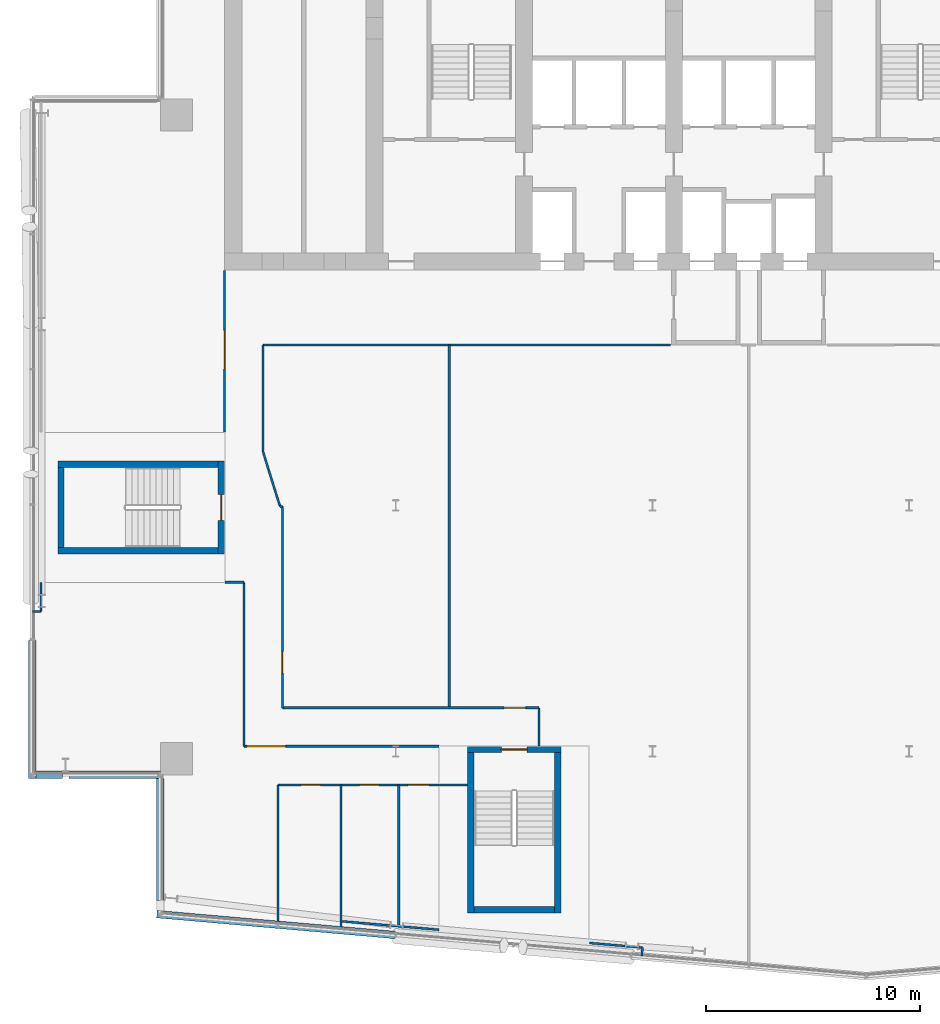
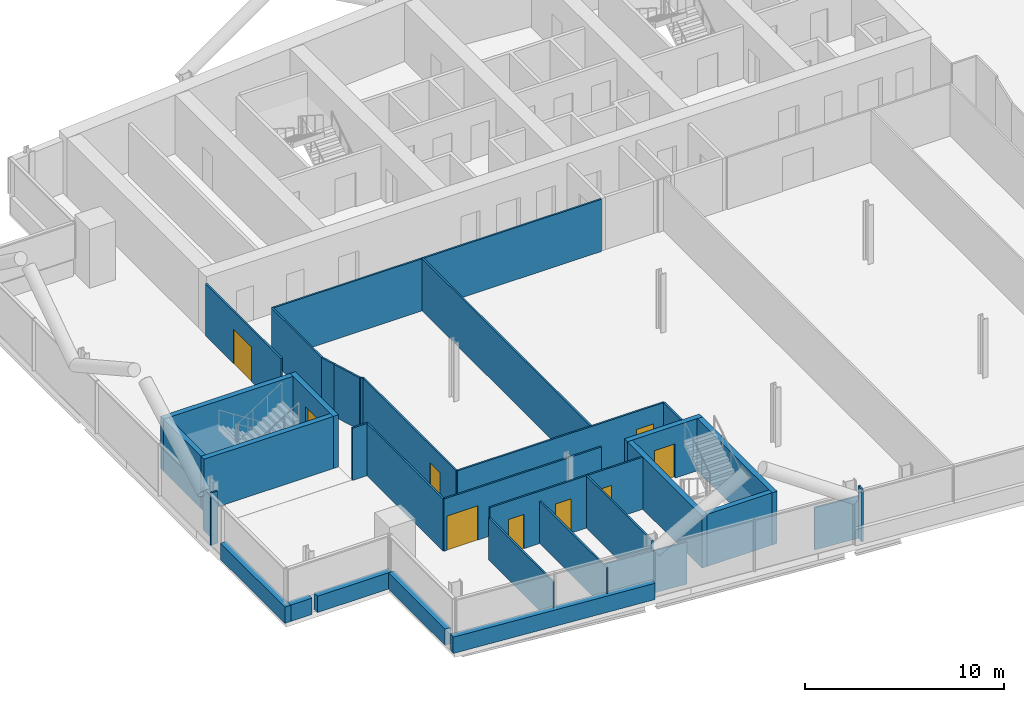
# One storey, part 15 of 26: 35 walls, 9 doors, 9 openings.
"""IFC4 building model written with IfcOpenShell, lengths in metres."""

from ifc_helpers import new_model, si_unit, direction, frame, frame_2d, origin, place, context, subcontext, project, spatial, rectangle, extrude, material, layer, layer_set, type_object, element, fill, save


model = new_model("IFC4")

# Units and contexts
model_context = context("Model", 3, precision=1e-05, world=origin(), true_north=direction((0.0, 1.0)))
body_context = subcontext(model_context, "Body", "Model", "MODEL_VIEW")
ifc_project = project(units=[si_unit("LENGTHUNIT", "METRE"), si_unit("AREAUNIT", "SQUARE_METRE"), si_unit("VOLUMEUNIT", "CUBIC_METRE"), si_unit("PLANEANGLEUNIT", "RADIAN"), si_unit("MASSUNIT", "GRAM", prefix="KILO")], contexts=[model_context])

# Site, building, storey
site_placement = place(None, origin())
site = spatial("IfcSite", under=ifc_project, at=site_placement, CompositionType="ELEMENT")
building_placement = place(site_placement, origin())
building = spatial("IfcBuilding", under=site, at=building_placement, Name="Wharfspan Tower", CompositionType="ELEMENT")
storey_placement = place(building_placement, frame((0.0, 0.0, 177.100098)))
storey = spatial("IfcBuildingStorey", under=building, at=storey_placement, Name="L43", CompositionType="ELEMENT", Elevation=177.100098)

# Wall, opening, door
ifc_material_1 = material(Name="Gypsum board on steel studs", Category="steel")
ifc_layer_1 = layer(ifc_material_1, 0.100098)
ifc_layer_set_1 = layer_set([ifc_layer_1], Name="Gypsum board on steel studs")
wall_type_1 = type_object("IfcWallType", Name="Compartment wall 100 EI 60", PredefinedType="PARTITIONING", material=ifc_layer_set_1)
wall_1_placement = place(storey_placement, frame((16.0, 26.419922, 0.0), z_axis=(0.0, 0.0, 1.0), x_axis=(0.0, 1.0, 0.0)))
wall_1 = element("IfcWall", 1, at=wall_1_placement, inside=storey, type_object=wall_type_1, Name="Partition L43.w004", PredefinedType="PARTITIONING", context=body_context, shape_type="SweptSolid", body=[
    extrude(rectangle(XDim=7.560059, YDim=0.100098, at=frame_2d((3.780029, 0.0))), origin(), (0.0, 0.0, 1.0), 3.199951),
])
opening_1_placement = place(wall_1_placement, frame((2.959961, 0.0, 0.0)))
opening_1 = element("IfcOpeningElement", 2, at=opening_1_placement, cuts=wall_1, Name="Opening C4-10", PredefinedType="OPENING", context=body_context, shape_type="SweptSolid", body=[
    extrude(rectangle(XDim=1.800049, YDim=2.100098, at=frame_2d((0.899902, 1.050049))), frame((0.0, 0.060059, 0.0), z_axis=(0.0, -1.0, 0.0), x_axis=(1.0, 0.0, 0.0)), (0.0, 0.0, 1.0), 0.120117),
])
ifc_material_2 = material(Name="Fire-rated timber door leaf in steel frame", Category="steel")
door_type_1 = type_object("IfcDoorType", Name="Door 1800 FD30S Double", OperationType="DOUBLE_DOOR_SINGLE_SWING", PredefinedType="DOOR", material=ifc_material_2)
door_1_placement = place(opening_1_placement, origin())
door_1 = element("IfcDoor", 3, at=door_1_placement, inside=storey, type_object=door_type_1, Name="Door C4-10", OperationType="DOUBLE_DOOR_SINGLE_SWING", OverallHeight=2.100098, OverallWidth=1.800049, PredefinedType="DOOR", context=body_context, shape_type="SweptSolid", body=[
    extrude(rectangle(XDim=1.800049, YDim=2.100098, at=frame_2d((0.899902, 1.050049))), frame((0.0, 0.024902, 0.0), z_axis=(0.0, -1.0, 0.0), x_axis=(1.0, 0.0, 0.0)), (0.0, 0.0, 1.0), 0.050049),
])
fill(opening_1, door_1)

# Walls
wall_2_placement = place(storey_placement, frame((16.02002, 19.399902, 0.0), z_axis=(0.0, 0.0, 1.0), x_axis=(1.0, 0.0, 0.0)))
element("IfcWall", 4, at=wall_2_placement, inside=storey, type_object=wall_type_1, Name="Partition L43.w005", PredefinedType="PARTITIONING", context=body_context, shape_type="SweptSolid", body=[
    extrude(rectangle(XDim=0.879883, YDim=0.100098, at=frame_2d((0.439941, 0.0))), origin(), (0.0, 0.0, 1.0), 3.199951),
])
wall_3_placement = place(storey_placement, frame((16.899902, 11.735107, 0.0), z_axis=(0.0, 0.0, 1.0), x_axis=(0.0, 1.0, 0.0)))
element("IfcWall", 5, at=wall_3_placement, inside=storey, type_object=wall_type_1, Name="Partition L43.w006", PredefinedType="PARTITIONING", context=body_context, shape_type="SweptSolid", body=[
    extrude(rectangle(XDim=7.664795, YDim=0.100098, at=frame_2d((3.83252, 0.0))), origin(), (0.0, 0.0, 1.0), 3.199951),
])

# Wall, opening, door
wall_4_placement = place(storey_placement, frame((16.899902, 11.735107, 0.0), z_axis=(0.0, 0.0, 1.0), x_axis=(1.0, 0.0, 0.0)))
wall_4 = element("IfcWall", 6, at=wall_4_placement, inside=storey, type_object=wall_type_1, Name="Partition L43.w007", PredefinedType="PARTITIONING", context=body_context, shape_type="SweptSolid", body=[
    extrude(rectangle(XDim=9.119385, YDim=0.100098, at=frame_2d((4.55957, 0.0))), origin(), (0.0, 0.0, 1.0), 3.199951),
])
opening_2_placement = place(wall_4_placement, frame((0.155029, 0.0, 0.0)))
opening_2 = element("IfcOpeningElement", 7, at=opening_2_placement, cuts=wall_4, Name="Opening C4-04", PredefinedType="OPENING", context=body_context, shape_type="SweptSolid", body=[
    extrude(rectangle(XDim=1.800049, YDim=2.100098, at=frame_2d((0.899902, 1.050049))), frame((0.0, 0.060059, 0.0), z_axis=(0.0, -1.0, 0.0), x_axis=(1.0, 0.0, 0.0)), (0.0, 0.0, 1.0), 0.120117),
])
door_2_placement = place(opening_2_placement, origin())
door_2 = element("IfcDoor", 8, at=door_2_placement, inside=storey, type_object=door_type_1, Name="Door C4-04", OperationType="DOUBLE_DOOR_SINGLE_SWING", OverallHeight=2.100098, OverallWidth=1.800049, PredefinedType="DOOR", context=body_context, shape_type="SweptSolid", body=[
    extrude(rectangle(XDim=1.800049, YDim=2.100098, at=frame_2d((0.899902, 1.050049))), frame((0.0, 0.024902, 0.0), z_axis=(0.0, -1.0, 0.0), x_axis=(1.0, 0.0, 0.0)), (0.0, 0.0, 1.0), 0.050049),
])
fill(opening_2, door_2)

# Walls
wall_5_placement = place(storey_placement, frame((17.800049, 25.485107, 0.0), z_axis=(0.0, 0.0, 1.0), x_axis=(0.0, 1.0, 0.0)))
element("IfcWall", 9, at=wall_5_placement, inside=storey, type_object=wall_type_1, Name="Partition L43.w008", PredefinedType="PARTITIONING", context=body_context, shape_type="SweptSolid", body=[
    extrude(rectangle(XDim=5.014893, YDim=0.100098, at=frame_2d((2.507324, 0.0))), origin(), (0.0, 0.0, 1.0), 3.199951),
])
wall_6_placement = place(storey_placement, frame((17.800049, 30.5, 0.0), z_axis=(0.0, 0.0, 1.0), x_axis=(1.0, 0.0, 0.0)))
element("IfcWall", 10, at=wall_6_placement, inside=storey, type_object=wall_type_1, Name="Partition L43.w009", PredefinedType="PARTITIONING", context=body_context, shape_type="SweptSolid", body=[
    extrude(rectangle(XDim=19.050049, YDim=0.100098, at=frame_2d((9.524902, 0.0))), origin(), (0.0, 0.0, 1.0), 3.199951),
])
wall_7_placement = place(storey_placement, frame((18.054932, 24.659912, 0.0), z_axis=(0.0, 0.0, 1.0), x_axis=(-0.295119, 0.955462, 0.0)))
element("IfcWall", 11, at=wall_7_placement, inside=storey, type_object=wall_type_1, Name="Partition L43.w010", PredefinedType="PARTITIONING", context=body_context, shape_type="SweptSolid", body=[
    extrude(rectangle(XDim=0.86377, YDim=0.100098, at=frame_2d((0.431885, 0.0))), origin(), (0.0, 0.0, 1.0), 3.199951),
])
wall_8_placement = place(storey_placement, frame((18.574951, 22.995117, 0.0), z_axis=(0.0, 0.0, 1.0), x_axis=(-0.298155, 0.954516, 0.0)))
element("IfcWall", 12, at=wall_8_placement, inside=storey, type_object=wall_type_1, Name="Partition L43.w013", PredefinedType="PARTITIONING", context=body_context, shape_type="SweptSolid", body=[
    extrude(rectangle(XDim=1.744141, YDim=0.100098, at=frame_2d((0.87207, 0.0))), origin(), (0.0, 0.0, 1.0), 3.199951),
])
wall_9_placement = place(storey_placement, frame((18.699951, 22.899902, 0.0), z_axis=(0.0, 0.0, 1.0), x_axis=(-0.795501, 0.605948, 0.0)))
element("IfcWall", 13, at=wall_9_placement, inside=storey, type_object=wall_type_1, Name="Partition L43.w014", PredefinedType="PARTITIONING", context=body_context, shape_type="SweptSolid", body=[
    extrude(rectangle(XDim=0.157227, YDim=0.100098, at=frame_2d((0.078613, 0.0))), origin(), (0.0, 0.0, 1.0), 3.199951),
])

# Wall, opening, door
wall_10_placement = place(storey_placement, frame((18.699951, 13.534912, 0.0), z_axis=(0.0, 0.0, 1.0), x_axis=(0.0, 1.0, 0.0)))
wall_10 = element("IfcWall", 14, at=wall_10_placement, inside=storey, type_object=wall_type_1, Name="Partition L43.w015", PredefinedType="PARTITIONING", context=body_context, shape_type="SweptSolid", body=[
    extrude(rectangle(XDim=9.36499, YDim=0.100098, at=frame_2d((4.682617, 0.0))), origin(), (0.0, 0.0, 1.0), 3.199951),
])
opening_3_placement = place(wall_10_placement, frame((1.620117, 0.0, 0.0)))
opening_3 = element("IfcOpeningElement", 15, at=opening_3_placement, cuts=wall_10, Name="Opening C4-06", PredefinedType="OPENING", context=body_context, shape_type="SweptSolid", body=[
    extrude(rectangle(XDim=1.0, YDim=2.100098, at=frame_2d((0.5, 1.050049))), frame((0.0, 0.060059, 0.0), z_axis=(0.0, -1.0, 0.0), x_axis=(1.0, 0.0, 0.0)), (0.0, 0.0, 1.0), 0.120117),
])
door_type_2 = type_object("IfcDoorType", Name="Door 1000 FD30S Left", OperationType="SINGLE_SWING_LEFT", PredefinedType="DOOR", material=ifc_material_2)
door_3_placement = place(opening_3_placement, origin())
door_3 = element("IfcDoor", 16, at=door_3_placement, inside=storey, type_object=door_type_2, Name="Door C4-06", OperationType="SINGLE_SWING_LEFT", OverallHeight=2.100098, OverallWidth=1.0, PredefinedType="DOOR", context=body_context, shape_type="SweptSolid", body=[
    extrude(rectangle(XDim=1.0, YDim=2.100098, at=frame_2d((0.5, 1.050049))), frame((0.0, 0.024902, 0.0), z_axis=(0.0, -1.0, 0.0), x_axis=(1.0, 0.0, 0.0)), (0.0, 0.0, 1.0), 0.050049),
])
fill(opening_3, door_3)

wall_11_placement = place(storey_placement, frame((18.699951, 13.534912, 0.0), z_axis=(0.0, 0.0, 1.0), x_axis=(1.0, 0.0, 0.0)))
wall_11 = element("IfcWall", 17, at=wall_11_placement, inside=storey, type_object=wall_type_1, Name="Partition L43.w016", PredefinedType="PARTITIONING", context=body_context, shape_type="SweptSolid", body=[
    extrude(rectangle(XDim=11.98999, YDim=0.100098, at=frame_2d((5.995117, 0.0))), origin(), (0.0, 0.0, 1.0), 3.199951),
])
opening_4_placement = place(wall_11_placement, frame((10.370117, 0.0, 0.0)))
opening_4 = element("IfcOpeningElement", 18, at=opening_4_placement, cuts=wall_11, Name="Opening C4-05", PredefinedType="OPENING", context=body_context, shape_type="SweptSolid", body=[
    extrude(rectangle(XDim=1.0, YDim=2.100098, at=frame_2d((0.5, 1.050049))), frame((0.0, 0.060059, 0.0), z_axis=(0.0, -1.0, 0.0), x_axis=(1.0, 0.0, 0.0)), (0.0, 0.0, 1.0), 0.120117),
])
door_type_3 = type_object("IfcDoorType", Name="Door 1000 FD30S Right", OperationType="SINGLE_SWING_RIGHT", PredefinedType="DOOR", material=ifc_material_2)
door_4_placement = place(opening_4_placement, origin())
door_4 = element("IfcDoor", 19, at=door_4_placement, inside=storey, type_object=door_type_3, Name="Door C4-05", OperationType="SINGLE_SWING_RIGHT", OverallHeight=2.100098, OverallWidth=1.0, PredefinedType="DOOR", context=body_context, shape_type="SweptSolid", body=[
    extrude(rectangle(XDim=1.0, YDim=2.100098, at=frame_2d((0.5, 1.050049))), frame((0.0, 0.024902, 0.0), z_axis=(0.0, -1.0, 0.0), x_axis=(1.0, 0.0, 0.0)), (0.0, 0.0, 1.0), 0.050049),
])
fill(opening_4, door_4)

# Walls
wall_12_placement = place(storey_placement, frame((26.5, 13.534912, 0.0), z_axis=(0.0, 0.0, 1.0), x_axis=(0.0, 1.0, 0.0)))
element("IfcWall", 20, at=wall_12_placement, inside=storey, type_object=wall_type_1, Name="Partition L43.w021", PredefinedType="PARTITIONING", context=body_context, shape_type="SweptSolid", body=[
    extrude(rectangle(XDim=16.965088, YDim=0.100098, at=frame_2d((8.482422, 0.0))), origin(), (0.0, 0.0, 1.0), 3.199951),
])
wall_13_placement = place(storey_placement, frame((30.689941, 11.754395, 0.0), z_axis=(0.0, 0.0, 1.0), x_axis=(0.0, 1.0, 0.0)))
element("IfcWall", 21, at=wall_13_placement, inside=storey, type_object=wall_type_1, Name="Partition L43.w022", PredefinedType="PARTITIONING", context=body_context, shape_type="SweptSolid", body=[
    extrude(rectangle(XDim=1.780518, YDim=0.100098, at=frame_2d((0.890137, 0.0))), origin(), (0.0, 0.0, 1.0), 3.199951),
])
ifc_layer_2 = layer(ifc_material_1, 0.100098)
ifc_layer_set_2 = layer_set([ifc_layer_2], Name="Gypsum board on steel studs")
wall_type_2 = type_object("IfcWallType", Name="Partition 100", PredefinedType="PARTITIONING", material=ifc_layer_set_2)
wall_14_placement = place(storey_placement, frame((7.02002, 18.034912, 0.0), z_axis=(0.0, 0.0, 1.0), x_axis=(1.0, 0.0, 0.0)))
element("IfcWall", 22, at=wall_14_placement, inside=storey, type_object=wall_type_2, Name="Partition L43.w001", PredefinedType="PARTITIONING", context=body_context, shape_type="SweptSolid", body=[
    extrude(rectangle(XDim=0.399902, YDim=0.100098, at=frame_2d((0.199951, 0.0))), origin(), (0.0, 0.0, 1.0), 3.199951),
])
wall_15_placement = place(storey_placement, frame((7.419922, 18.034912, 0.0), z_axis=(0.0, 0.0, 1.0), x_axis=(0.0, 1.0, 0.0)))
element("IfcWall", 23, at=wall_15_placement, inside=storey, type_object=wall_type_2, Name="Partition L43.w002", PredefinedType="PARTITIONING", context=body_context, shape_type="SweptSolid", body=[
    extrude(rectangle(XDim=1.344971, YDim=0.100098, at=frame_2d((0.672363, 0.0))), origin(), (0.0, 0.0, 1.0), 2.579834),
])
wall_16_placement = place(storey_placement, frame((18.5, 3.414062, 0.0), z_axis=(0.0, 0.0, 1.0), x_axis=(0.0, 1.0, 0.0)))
element("IfcWall", 24, at=wall_16_placement, inside=storey, type_object=wall_type_2, Name="Partition L43.w011", PredefinedType="PARTITIONING", context=body_context, shape_type="SweptSolid", body=[
    extrude(rectangle(XDim=6.515869, YDim=0.100098, at=frame_2d((3.257812, 0.0))), origin(), (0.0, 0.0, 1.0), 2.579834),
])

# Wall, openings, doors
wall_17_placement = place(storey_placement, frame((18.5, 9.929932, 0.0), z_axis=(0.0, 0.0, 1.0), x_axis=(1.0, 0.0, 0.0)))
wall_17 = element("IfcWall", 25, at=wall_17_placement, inside=storey, type_object=wall_type_2, Name="Partition L43.w012", PredefinedType="PARTITIONING", context=body_context, shape_type="SweptSolid", body=[
    extrude(rectangle(XDim=8.864258, YDim=0.100098, at=frame_2d((4.432129, 0.0))), origin(), (0.0, 0.0, 1.0), 3.199951),
])
opening_5_placement = place(wall_17_placement, frame((1.073242, 0.0, 0.0)))
opening_5 = element("IfcOpeningElement", 26, at=opening_5_placement, cuts=wall_17, Name="Opening C4-01", PredefinedType="OPENING", context=body_context, shape_type="SweptSolid", body=[
    extrude(rectangle(XDim=0.899902, YDim=2.100098, at=frame_2d((0.449951, 1.050049))), frame((0.0, 0.060059, 0.0), z_axis=(0.0, -1.0, 0.0), x_axis=(1.0, 0.0, 0.0)), (0.0, 0.0, 1.0), 0.120117),
])
opening_6_placement = place(wall_17_placement, frame((3.80835, 0.0, 0.0)))
opening_6 = element("IfcOpeningElement", 27, at=opening_6_placement, cuts=wall_17, Name="Opening C4-02", PredefinedType="OPENING", context=body_context, shape_type="SweptSolid", body=[
    extrude(rectangle(XDim=0.899902, YDim=2.100098, at=frame_2d((0.449951, 1.050049))), frame((0.0, 0.060059, 0.0), z_axis=(0.0, -1.0, 0.0), x_axis=(1.0, 0.0, 0.0)), (0.0, 0.0, 1.0), 0.120117),
])
opening_7_placement = place(wall_17_placement, frame((6.063232, 0.0, 0.0)))
opening_7 = element("IfcOpeningElement", 28, at=opening_7_placement, cuts=wall_17, Name="Opening C4-03", PredefinedType="OPENING", context=body_context, shape_type="SweptSolid", body=[
    extrude(rectangle(XDim=1.0, YDim=2.100098, at=frame_2d((0.5, 1.050049))), frame((0.0, 0.060059, 0.0), z_axis=(0.0, -1.0, 0.0), x_axis=(1.0, 0.0, 0.0)), (0.0, 0.0, 1.0), 0.120117),
])
ifc_material_3 = material(Name="Timber door leaf in steel frame", Category="steel")
door_type_4 = type_object("IfcDoorType", Name="Door 1000 NOT RATED Right", OperationType="SINGLE_SWING_RIGHT", PredefinedType="DOOR", material=ifc_material_3)
door_5_placement = place(opening_7_placement, origin())
door_5 = element("IfcDoor", 29, at=door_5_placement, inside=storey, type_object=door_type_4, Name="Door C4-03", OperationType="SINGLE_SWING_RIGHT", OverallHeight=2.100098, OverallWidth=1.0, PredefinedType="DOOR", context=body_context, shape_type="SweptSolid", body=[
    extrude(rectangle(XDim=1.0, YDim=2.100098, at=frame_2d((0.5, 1.050049))), frame((0.0, 0.024902, 0.0), z_axis=(0.0, -1.0, 0.0), x_axis=(1.0, 0.0, 0.0)), (0.0, 0.0, 1.0), 0.050049),
])
fill(opening_7, door_5)
door_type_5 = type_object("IfcDoorType", Name="Door 900 NOT RATED Left", OperationType="SINGLE_SWING_LEFT", PredefinedType="DOOR", material=ifc_material_3)
door_6_placement = place(opening_5_placement, origin())
door_6 = element("IfcDoor", 30, at=door_6_placement, inside=storey, type_object=door_type_5, Name="Door C4-01", OperationType="SINGLE_SWING_LEFT", OverallHeight=2.100098, OverallWidth=0.899902, PredefinedType="DOOR", context=body_context, shape_type="SweptSolid", body=[
    extrude(rectangle(XDim=0.899902, YDim=2.100098, at=frame_2d((0.449951, 1.050049))), frame((0.0, 0.024902, 0.0), z_axis=(0.0, -1.0, 0.0), x_axis=(1.0, 0.0, 0.0)), (0.0, 0.0, 1.0), 0.050049),
])
fill(opening_5, door_6)
door_7_placement = place(opening_6_placement, origin())
door_7 = element("IfcDoor", 31, at=door_7_placement, inside=storey, type_object=door_type_5, Name="Door C4-02", OperationType="SINGLE_SWING_LEFT", OverallHeight=2.100098, OverallWidth=0.899902, PredefinedType="DOOR", context=body_context, shape_type="SweptSolid", body=[
    extrude(rectangle(XDim=0.899902, YDim=2.100098, at=frame_2d((0.449951, 1.050049))), frame((0.0, 0.024902, 0.0), z_axis=(0.0, -1.0, 0.0), x_axis=(1.0, 0.0, 0.0)), (0.0, 0.0, 1.0), 0.050049),
])
fill(opening_6, door_7)

# Walls
wall_18_placement = place(storey_placement, frame((21.435059, 3.165039, 0.0), z_axis=(0.0, 0.0, 1.0), x_axis=(0.0, 1.0, 0.0)))
element("IfcWall", 32, at=wall_18_placement, inside=storey, type_object=wall_type_2, Name="Partition L43.w017", PredefinedType="PARTITIONING", context=body_context, shape_type="SweptSolid", body=[
    extrude(rectangle(XDim=6.764893, YDim=0.100098, at=frame_2d((3.382324, 0.0))), origin(), (0.0, 0.0, 1.0), 2.579834),
])
wall_19_placement = place(storey_placement, frame((24.139893, 3.320068, 0.0), z_axis=(0.0, 0.0, 1.0), x_axis=(0.0, 1.0, 0.0)))
element("IfcWall", 33, at=wall_19_placement, inside=storey, type_object=wall_type_2, Name="Partition L43.w019", PredefinedType="PARTITIONING", context=body_context, shape_type="SweptSolid", body=[
    extrude(rectangle(XDim=6.609863, YDim=0.100098, at=frame_2d((3.304932, 0.0))), origin(), (0.0, 0.0, 1.0), 3.199951),
])
wall_20_placement = place(storey_placement, frame((26.019287, 3.156738, 0.0), z_axis=(0.0, 0.0, 1.0), x_axis=(-0.996266, 0.086322, 0.0)))
element("IfcWall", 34, at=wall_20_placement, inside=storey, type_object=wall_type_2, Name="Partition L43.w020", PredefinedType="PARTITIONING", context=body_context, shape_type="SweptSolid", body=[
    extrude(rectangle(XDim=4.556396, YDim=0.100098, at=frame_2d((2.27832, 0.0))), origin(), (0.0, 0.0, 1.0), 2.579834),
])
wall_21_placement = place(storey_placement, frame((35.501709, 1.926514, 0.0), z_axis=(0.0, 0.0, 1.0), x_axis=(0.083045, 0.996542, 0.0)))
element("IfcWall", 35, at=wall_21_placement, inside=storey, type_object=wall_type_2, Name="Partition L43.w023", PredefinedType="PARTITIONING", context=body_context, shape_type="SweptSolid", body=[
    extrude(rectangle(XDim=0.399902, YDim=0.100098, at=frame_2d((0.199951, 0.0))), origin(), (0.0, 0.0, 1.0), 3.199951),
])
wall_22_placement = place(storey_placement, frame((35.534912, 2.324951, 0.0), z_axis=(0.0, 0.0, 1.0), x_axis=(-0.996311, 0.085867, 0.0)))
element("IfcWall", 36, at=wall_22_placement, inside=storey, type_object=wall_type_2, Name="Partition L43.w024", PredefinedType="PARTITIONING", context=body_context, shape_type="SweptSolid", body=[
    extrude(rectangle(XDim=2.485107, YDim=0.100098, at=frame_2d((1.242676, 0.0))), origin(), (0.0, 0.0, 1.0), 2.579834),
])
ifc_material_4 = material(Name="Concrete C40/50", Category="concrete")
ifc_layer_3 = layer(ifc_material_4, 0.350098)
ifc_layer_set_3 = layer_set([ifc_layer_3], Name="Concrete C40/50")
wall_type_3 = type_object("IfcWallType", Name="SPANDREL EXPOSED CONCRETE 350", PredefinedType="SOLIDWALL", material=ifc_layer_set_3)
wall_23_placement = place(storey_placement, frame((12.835205, 3.884521, 0.0), z_axis=(0.0, 0.0, 1.0), x_axis=(0.996199, -0.087154, 0.0)))
element("IfcWall", 37, at=wall_23_placement, inside=storey, type_object=wall_type_3, Name="Spandrel upstand L43 S1 1", PredefinedType="SOLIDWALL", context=body_context, shape_type="SweptSolid", body=[
    extrude(rectangle(XDim=11.177002, YDim=0.350098, at=frame_2d((5.588379, 0.0))), origin(), (0.0, 0.0, 1.0), 1.0),
])
wall_24_placement = place(storey_placement, frame((6.995117, 16.689941, 0.0), z_axis=(0.0, 0.0, 1.0), x_axis=(0.0, -1.0, 0.0)))
element("IfcWall", 38, at=wall_24_placement, inside=storey, type_object=wall_type_3, Name="Spandrel upstand L43 W", PredefinedType="SOLIDWALL", context=body_context, shape_type="SweptSolid", body=[
    extrude(rectangle(XDim=6.469971, YDim=0.350098, at=frame_2d((3.234863, 0.0))), origin(), (0.0, 0.0, 1.0), 1.0),
])
wall_25_placement = place(storey_placement, frame((7.169922, 10.39502, 0.0), z_axis=(0.0, 0.0, 1.0), x_axis=(1.0, 0.0, 0.0)))
element("IfcWall", 39, at=wall_25_placement, inside=storey, type_object=wall_type_3, Name="Spandrel upstand L43 NFW-H", PredefinedType="SOLIDWALL", context=body_context, shape_type="SweptSolid", body=[
    extrude(rectangle(XDim=1.238281, YDim=0.350098, at=frame_2d((0.619141, 0.0))), origin(), (0.0, 0.0, 1.0), 1.0),
])
wall_26_placement = place(storey_placement, frame((8.713379, 10.39502, 0.0), z_axis=(0.0, 0.0, 1.0), x_axis=(1.0, 0.0, 0.0)))
element("IfcWall", 40, at=wall_26_placement, inside=storey, type_object=wall_type_3, Name="Spandrel upstand L43 NFW-H 2", PredefinedType="SOLIDWALL", context=body_context, shape_type="SweptSolid", body=[
    extrude(rectangle(XDim=4.286621, YDim=0.350098, at=frame_2d((2.143311, 0.0))), origin(), (0.0, 0.0, 1.0), 1.0),
])
wall_27_placement = place(storey_placement, frame((12.995117, 10.219971, 0.0), z_axis=(0.0, 0.0, 1.0), x_axis=(0.0, -1.0, 0.0)))
element("IfcWall", 41, at=wall_27_placement, inside=storey, type_object=wall_type_3, Name="Spandrel upstand L43 NFW-V", PredefinedType="SOLIDWALL", context=body_context, shape_type="SweptSolid", body=[
    extrude(rectangle(XDim=5.693359, YDim=0.350098, at=frame_2d((2.84668, 0.0))), origin(), (0.0, 0.0, 1.0), 1.0),
])

# Wall, opening, door
ifc_layer_4 = layer(ifc_material_4, 0.300049)
ifc_layer_set_4 = layer_set([ifc_layer_4], Name="Concrete C40/50")
wall_type_4 = type_object("IfcWallType", Name="Stair core wall 300", PredefinedType="SHEAR", material=ifc_layer_set_4)
wall_28_placement = place(storey_placement, frame((15.850098, 20.725098, 0.0), z_axis=(0.0, 0.0, 1.0), x_axis=(0.0, 1.0, 0.0)))
wall_28 = element("IfcWall", 42, at=wall_28_placement, inside=storey, type_object=wall_type_4, Name="ST3 stair enclosure wall L43", PredefinedType="SHEAR", context=body_context, shape_type="SweptSolid", body=[
    extrude(rectangle(XDim=4.349854, YDim=0.300049, at=frame_2d((2.174805, 0.0))), origin(), (0.0, 0.0, 1.0), 3.199951),
])
opening_8_placement = place(wall_28_placement, frame((1.574951, 0.0, 0.0)))
opening_8 = element("IfcOpeningElement", 43, at=opening_8_placement, cuts=wall_28, Name="Opening SD3.L43", PredefinedType="OPENING", context=body_context, shape_type="SweptSolid", body=[
    extrude(rectangle(XDim=1.199951, YDim=2.100098, at=frame_2d((0.600098, 1.050049))), frame((0.0, 0.159912, 0.0), z_axis=(0.0, -1.0, 0.0), x_axis=(1.0, 0.0, 0.0)), (0.0, 0.0, 1.0), 0.320068),
])
ifc_material_5 = material(Name="Steel door leaf", Category="steel")
door_type_6 = type_object("IfcDoorType", Name="Stair door 1200x2100", OperationType="SINGLE_SWING_LEFT", PredefinedType="DOOR", material=ifc_material_5)
door_8_placement = place(opening_8_placement, origin())
door_8 = element("IfcDoor", 44, at=door_8_placement, inside=storey, type_object=door_type_6, Name="sd:L43:ST3z3", OperationType="SINGLE_SWING_RIGHT", OverallHeight=2.100098, OverallWidth=1.199951, PredefinedType="DOOR", context=body_context, shape_type="SweptSolid", body=[
    extrude(rectangle(XDim=1.199951, YDim=2.100098, at=frame_2d((0.600098, 1.050049))), frame((0.0, 0.024902, 0.0), z_axis=(0.0, -1.0, 0.0), x_axis=(1.0, 0.0, 0.0)), (0.0, 0.0, 1.0), 0.050049),
])
fill(opening_8, door_8)

wall_29_placement = place(storey_placement, frame((27.364258, 11.584229, 0.0), z_axis=(0.0, 0.0, 1.0), x_axis=(1.0, 0.0, 0.0)))
wall_29 = element("IfcWall", 45, at=wall_29_placement, inside=storey, type_object=wall_type_4, Name="ST4 stair enclosure wall L43", PredefinedType="SHEAR", context=body_context, shape_type="SweptSolid", body=[
    extrude(rectangle(XDim=4.349854, YDim=0.300049, at=frame_2d((2.174805, 0.0))), origin(), (0.0, 0.0, 1.0), 3.199951),
])
opening_9_placement = place(wall_29_placement, frame((1.574951, 0.0, 0.0)))
opening_9 = element("IfcOpeningElement", 46, at=opening_9_placement, cuts=wall_29, Name="Opening SD4.L43", PredefinedType="OPENING", context=body_context, shape_type="SweptSolid", body=[
    extrude(rectangle(XDim=1.199951, YDim=2.100098, at=frame_2d((0.600098, 1.050049))), frame((0.0, 0.159912, 0.0), z_axis=(0.0, -1.0, 0.0), x_axis=(1.0, 0.0, 0.0)), (0.0, 0.0, 1.0), 0.320068),
])
door_9_placement = place(opening_9_placement, origin())
door_9 = element("IfcDoor", 47, at=door_9_placement, inside=storey, type_object=door_type_6, Name="sd:L43:ST4z3", OperationType="SINGLE_SWING_RIGHT", OverallHeight=2.100098, OverallWidth=1.199951, PredefinedType="DOOR", context=body_context, shape_type="SweptSolid", body=[
    extrude(rectangle(XDim=1.199951, YDim=2.100098, at=frame_2d((0.600098, 1.050049))), frame((0.0, 0.024902, 0.0), z_axis=(0.0, -1.0, 0.0), x_axis=(1.0, 0.0, 0.0)), (0.0, 0.0, 1.0), 0.050049),
])
fill(opening_9, door_9)

# Walls
for number, where, z_axis, x_axis, name in (
    (48, (8.199951, 20.875, 0.0), (0.0, 0.0, 1.0), (1.0, 0.0, 0.0), "ST3 stair enclosure wall L43"),
    (49, (8.199951, 24.925049, 0.0), (0.0, 0.0, 1.0), (1.0, 0.0, 0.0), "ST3 stair enclosure wall L43"),
):
    element("IfcWall", number, at=place(storey_placement, frame(where, z_axis=z_axis, x_axis=x_axis)), inside=storey, type_object=wall_type_4, Name=name, PredefinedType="SHEAR", context=body_context, shape_type="SweptSolid", body=[
        extrude(rectangle(XDim=7.5, YDim=0.300049, at=frame_2d((3.75, 0.0))), origin(), (0.0, 0.0, 1.0), 3.199951),
    ])
wall_30_placement = place(storey_placement, frame((8.350098, 21.024902, 0.0), z_axis=(0.0, 0.0, 1.0), x_axis=(0.0, 1.0, 0.0)))
element("IfcWall", 50, at=wall_30_placement, inside=storey, type_object=wall_type_4, Name="ST3 stair enclosure wall L43", PredefinedType="SHEAR", context=body_context, shape_type="SweptSolid", body=[
    extrude(rectangle(XDim=3.75, YDim=0.300049, at=frame_2d((1.875, 0.0))), origin(), (0.0, 0.0, 1.0), 3.199951),
])
for number, where, z_axis, x_axis, name in (
    (51, (27.51416, 3.934326, 0.0), (0.0, 0.0, 1.0), (0.0, 1.0, 0.0), "ST4 stair enclosure wall L43"),
    (52, (31.564209, 3.934326, 0.0), (0.0, 0.0, 1.0), (0.0, 1.0, 0.0), "ST4 stair enclosure wall L43"),
):
    element("IfcWall", number, at=place(storey_placement, frame(where, z_axis=z_axis, x_axis=x_axis)), inside=storey, type_object=wall_type_4, Name=name, PredefinedType="SHEAR", context=body_context, shape_type="SweptSolid", body=[
        extrude(rectangle(XDim=7.5, YDim=0.300049, at=frame_2d((3.75, 0.0))), origin(), (0.0, 0.0, 1.0), 3.199951),
    ])
wall_31_placement = place(storey_placement, frame((27.664307, 4.084229, 0.0), z_axis=(0.0, 0.0, 1.0), x_axis=(1.0, 0.0, 0.0)))
element("IfcWall", 53, at=wall_31_placement, inside=storey, type_object=wall_type_4, Name="ST4 stair enclosure wall L43", PredefinedType="SHEAR", context=body_context, shape_type="SweptSolid", body=[
    extrude(rectangle(XDim=3.75, YDim=0.300049, at=frame_2d((1.875, 0.0))), origin(), (0.0, 0.0, 1.0), 3.199951),
])

save(model, "model.ifc")
